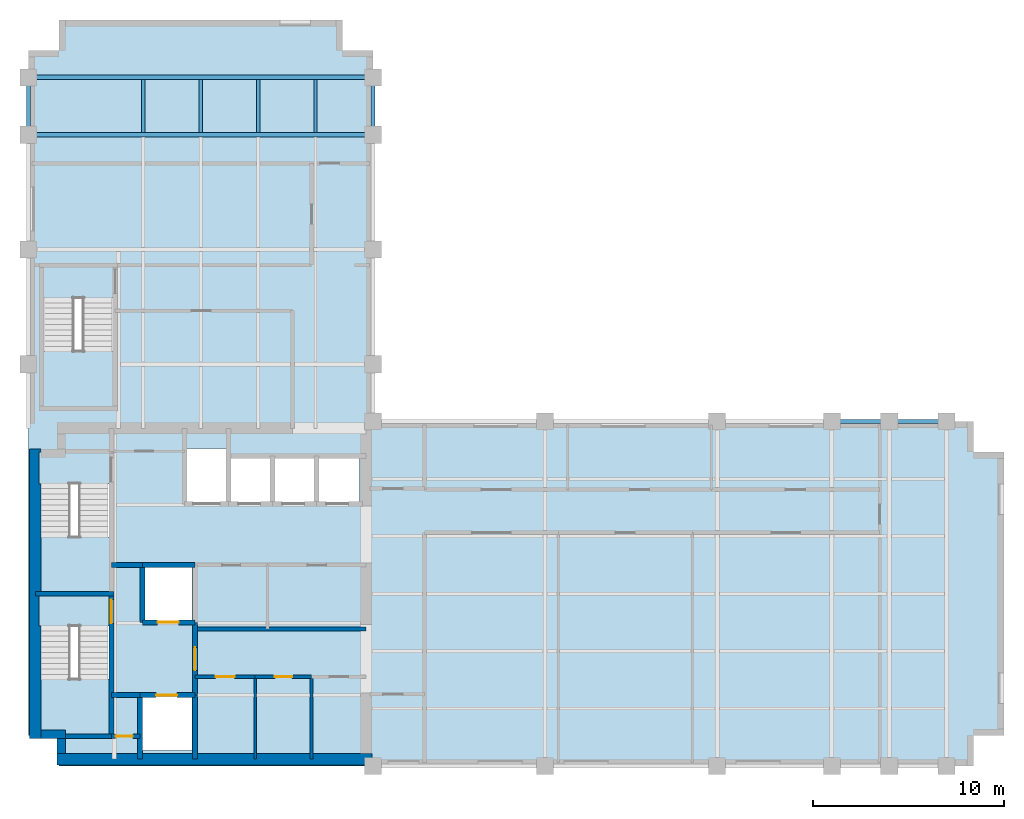
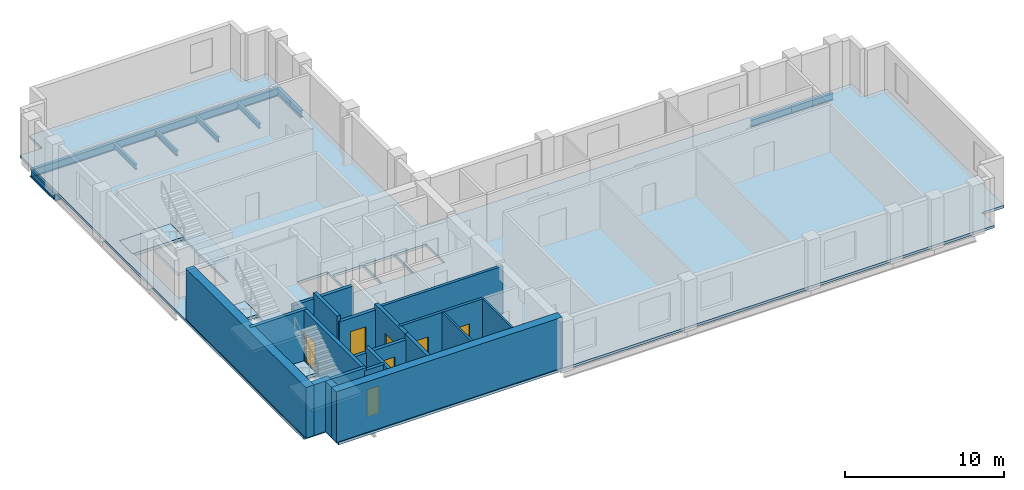
# One storey, part 2 of 6: 22 walls, 10 beams, 7 doors, 7 slabs, 7 openings, 3 elements without a shape of their own.
"""IFC4 building model written with IfcOpenShell, lengths in metres."""

from ifc_helpers import new_model, si_unit, direction, frame, frame_2d, origin, origin_2d, place, context, subcontext, project, spatial, polyline, rectangle, i_section, outline, extrude, material, layer, layer_set, material_profile, profile_set, type_object, element, fill, aggregate, save


model = new_model("IFC4")

# Units and contexts
model_context = context("Model", 3, precision=1e-05, world=origin(), true_north=direction((0.0, 1.0)))
body_context = subcontext(model_context, "Body", "Model", "MODEL_VIEW")
ifc_project = project(units=[si_unit("LENGTHUNIT", "METRE"), si_unit("AREAUNIT", "SQUARE_METRE"), si_unit("VOLUMEUNIT", "CUBIC_METRE"), si_unit("PLANEANGLEUNIT", "RADIAN"), si_unit("MASSUNIT", "GRAM", prefix="KILO")], contexts=[model_context])

# Site, building, storey
site_placement = place(None, origin())
site = spatial("IfcSite", under=ifc_project, at=site_placement, CompositionType="ELEMENT")
building_placement = place(site_placement, origin())
building = spatial("IfcBuilding", under=site, at=building_placement, Name="Mawjdan Bourse Tower", CompositionType="ELEMENT")
storey_placement = place(building_placement, frame((0.0, 0.0, 207.300048828125)))
storey = spatial("IfcBuildingStorey", under=building, at=storey_placement, Name="L50", CompositionType="ELEMENT", Elevation=207.300048828125)

# Beams
ifc_material_1 = material(Name="Structural Steel S355", Category="steel")
ifc_material_profile_1 = material_profile(ifc_material_1, i_section(OverallWidth=0.22998046875, OverallDepth=0.616943359375, WebThickness=0.01318359375, FlangeThickness=0.022216796875, FilletRadius=0.017822265625, at=origin_2d()), Name="W24X94")
ifc_profile_set_1 = profile_set([ifc_material_profile_1], Name="Structural Steel S355")
beam_type_1 = type_object("IfcBeamType", Name="GRD-W24X94", PredefinedType="BEAM", material=ifc_profile_set_1)
for number, where, z_axis, x_axis, name in (
    (1, (6.0, 36.0, -0.508544921875), (1.0, 0.0, 0.0), (0.0, 1.0, 0.0), "L50 North Wing Clear-Span Girder 049"),
    (2, (6.0, 39.0, -0.508544921875), (1.0, 0.0, 0.0), (0.0, 1.0, 0.0), "L50 North Wing Clear-Span Girder 050"),
):
    element("IfcBeam", number, at=place(storey_placement, frame(where, z_axis=z_axis, x_axis=x_axis)), inside=storey, type_object=beam_type_1, Name=name, PredefinedType="BEAM", context=body_context, shape_type="SweptSolid", body=[
        extrude(i_section(OverallWidth=0.22998046875, OverallDepth=0.616943359375, WebThickness=0.01318359375, FlangeThickness=0.022216796875, FilletRadius=0.017822265625, at=origin_2d()), origin(), (0.0, 0.0, 1.0), 18.0),
    ])
ifc_material_profile_2 = material_profile(ifc_material_1, i_section(OverallWidth=0.177978515625, OverallDepth=0.406982421875, WebThickness=0.0078125, FlangeThickness=0.0126953125, FilletRadius=0.01025390625, at=origin_2d()), Name="W16X40")
ifc_profile_set_2 = profile_set([ifc_material_profile_2], Name="Structural Steel S355")
beam_type_2 = type_object("IfcBeamType", Name="JST-W16X40", PredefinedType="JOIST", material=ifc_profile_set_2)
for number, where, z_axis, x_axis, name in (
    (3, (12.0, 36.113037109375, -0.403564453125), (0.0, 1.0, 0.0), (-1.0, 0.0, 0.0), "L50 North Wing Composite Joist 062"),
    (4, (15.0, 36.113037109375, -0.403564453125), (0.0, 1.0, 0.0), (-1.0, 0.0, 0.0), "L50 North Wing Composite Joist 066"),
    (5, (18.0, 36.113037109375, -0.403564453125), (0.0, 1.0, 0.0), (-1.0, 0.0, 0.0), "L50 North Wing Composite Joist 070"),
    (6, (21.0, 36.113037109375, -0.403564453125), (0.0, 1.0, 0.0), (-1.0, 0.0, 0.0), "L50 North Wing Composite Joist 074"),
):
    element("IfcBeam", number, at=place(storey_placement, frame(where, z_axis=z_axis, x_axis=x_axis)), inside=storey, type_object=beam_type_2, Name=name, PredefinedType="JOIST", context=body_context, shape_type="SweptSolid", body=[
        extrude(i_section(OverallWidth=0.177978515625, OverallDepth=0.406982421875, WebThickness=0.0078125, FlangeThickness=0.0126953125, FilletRadius=0.01025390625, at=origin_2d()), origin(), (0.0, 0.0, 1.0), 2.77392578125),
    ])
ifc_material_profile_3 = material_profile(ifc_material_1, i_section(OverallWidth=0.2099609375, OverallDepth=0.537109375, WebThickness=0.010986328125, FlangeThickness=0.017333984375, FilletRadius=0.013916015625, at=origin_2d()), Name="W21X68")
ifc_profile_set_3 = profile_set([ifc_material_profile_3], Name="Structural Steel S355")
beam_type_3 = type_object("IfcBeamType", Name="SPN-W21X68", PredefinedType="SPANDREL", material=ifc_profile_set_3)
for number, where, z_axis, x_axis, name in (
    (7, (48.0, 21.0, -0.468505859375), (1.0, 0.0, 0.0), (0.0, 1.0, 0.0), "L50 Perimeter Masonry-Shelf Spandrel 015"),
    (8, (51.0, 21.0, -0.468505859375), (1.0, 0.0, 0.0), (0.0, 1.0, 0.0), "L50 Perimeter Masonry-Shelf Spandrel 016"),
    (9, (6.0, 36.0, -0.468505859375), (0.0, 1.0, 0.0), (-1.0, 0.0, 0.0), "L50 North Wing Spandrel 054"),
    (10, (24.0, 36.0, -0.468505859375), (0.0, 1.0, 0.0), (-1.0, 0.0, 0.0), "L50 North Wing Spandrel 058"),
):
    element("IfcBeam", number, at=place(storey_placement, frame(where, z_axis=z_axis, x_axis=x_axis)), inside=storey, type_object=beam_type_3, Name=name, PredefinedType="SPANDREL", context=body_context, shape_type="SweptSolid", body=[
        extrude(i_section(OverallWidth=0.2099609375, OverallDepth=0.537109375, WebThickness=0.010986328125, FlangeThickness=0.017333984375, FilletRadius=0.013916015625, at=origin_2d()), origin(), (0.0, 0.0, 1.0), 3.0),
    ])

# Stair, slabs
ifc_material_2 = material(Name="Concrete C50/60", Category="concrete")
stair_type = type_object("IfcStairType", Name="STR-CORE-1500", PredefinedType="HALF_TURN_STAIR", material=ifc_material_2)
stair_1_placement = place(storey_placement, origin())
stair_1 = element("IfcStair", 11, at=stair_1_placement, inside=storey, type_object=stair_type, Name="L50 Exit Stair 1 (Core South-West)", PredefinedType="HALF_TURN_STAIR")
ifc_layer_1 = layer(ifc_material_2, 0.22998046875)
ifc_layer_set_1 = layer_set([ifc_layer_1], Name="Concrete C50/60")
slab_type_1 = type_object("IfcSlabType", Name="SL-LND-230", PredefinedType="LANDING", material=ifc_layer_set_1)
slab_1_placement = place(storey_placement, frame((0.0, 0.0, -0.22998046875)))
slab_1 = element("IfcSlab", 12, at=slab_1_placement, type_object=slab_type_1, Name="ST1-L50 landing 1", PredefinedType="LANDING", context=body_context, shape_type="SweptSolid", body=[
    extrude(outline(polyline([(6.5400390625, 10.31005859375), (10.260009765625, 10.31005859375), (10.260009765625, 11.969970703125), (6.5400390625, 11.969970703125), (6.5400390625, 10.31005859375)])), origin(), (0.0, 0.0, 1.0), 0.22998046875),
])
slab_2_placement = place(storey_placement, frame((0.0, 0.0, 1.719970703125)))
slab_2 = element("IfcSlab", 13, at=slab_2_placement, type_object=slab_type_1, Name="ST1-L50 landing 2", PredefinedType="LANDING", context=body_context, shape_type="SweptSolid", body=[
    extrude(outline(polyline([(6.5400390625, 4.590087890625), (10.260009765625, 4.590087890625), (10.260009765625, 7.5400390625), (6.5400390625, 7.5400390625), (6.5400390625, 4.590087890625)])), origin(), (0.0, 0.0, 1.0), 0.22998046875),
])
aggregate(stair_1, [slab_1, slab_2])

stair_2_placement = place(storey_placement, origin())
stair_2 = element("IfcStair", 14, at=stair_2_placement, inside=storey, type_object=stair_type, Name="L50 Exit Stair 2 (Core North-West)", PredefinedType="HALF_TURN_STAIR")
slab_3_placement = place(storey_placement, frame((0.0, 0.0, -0.22998046875)))
slab_3 = element("IfcSlab", 15, at=slab_3_placement, type_object=slab_type_1, Name="ST2-L50 landing 1", PredefinedType="LANDING", context=body_context, shape_type="SweptSolid", body=[
    extrude(outline(polyline([(6.5400390625, 17.75), (10.260009765625, 17.75), (10.260009765625, 19.409912109375), (6.5400390625, 19.409912109375), (6.5400390625, 17.75)])), origin(), (0.0, 0.0, 1.0), 0.22998046875),
])
slab_4_placement = place(storey_placement, frame((0.0, 0.0, 1.719970703125)))
slab_4 = element("IfcSlab", 16, at=slab_4_placement, type_object=slab_type_1, Name="ST2-L50 landing 2", PredefinedType="LANDING", context=body_context, shape_type="SweptSolid", body=[
    extrude(outline(polyline([(6.5400390625, 12.030029296875), (10.260009765625, 12.030029296875), (10.260009765625, 14.97998046875), (6.5400390625, 14.97998046875), (6.5400390625, 12.030029296875)])), origin(), (0.0, 0.0, 1.0), 0.22998046875),
])
aggregate(stair_2, [slab_3, slab_4])

stair_3_placement = place(storey_placement, origin())
stair_3 = element("IfcStair", 17, at=stair_3_placement, inside=storey, type_object=stair_type, Name="L50 Exit Stair 3 (North Wing)", PredefinedType="HALF_TURN_STAIR")
slab_5_placement = place(storey_placement, frame((0.0, 0.0, -0.22998046875)))
slab_5 = element("IfcSlab", 18, at=slab_5_placement, type_object=slab_type_1, Name="ST3-L50 landing 1", PredefinedType="LANDING", context=body_context, shape_type="SweptSolid", body=[
    extrude(outline(polyline([(6.739990234375, 27.4599609375), (10.4599609375, 27.4599609375), (10.4599609375, 29.1201171875), (6.739990234375, 29.1201171875), (6.739990234375, 27.4599609375)])), origin(), (0.0, 0.0, 1.0), 0.22998046875),
])
slab_6_placement = place(storey_placement, frame((0.0, 0.0, 1.719970703125)))
slab_6 = element("IfcSlab", 19, at=slab_6_placement, type_object=slab_type_1, Name="ST3-L50 landing 2", PredefinedType="LANDING", context=body_context, shape_type="SweptSolid", body=[
    extrude(outline(polyline([(6.739990234375, 21.739990234375), (10.4599609375, 21.739990234375), (10.4599609375, 24.68994140625), (6.739990234375, 24.68994140625), (6.739990234375, 21.739990234375)])), origin(), (0.0, 0.0, 1.0), 0.22998046875),
])
aggregate(stair_3, [slab_5, slab_6])

# Slab
ifc_layer_2 = layer(ifc_material_2, 0.199951171875)
ifc_layer_set_2 = layer_set([ifc_layer_2], Name="Concrete C50/60")
slab_type_2 = type_object("IfcSlabType", Name="SL-OFC-200", PredefinedType="FLOOR", material=ifc_layer_set_2)
slab_7_placement = place(storey_placement, frame((0.0, 0.0, -0.199951171875)))
element("IfcSlab", 20, at=slab_7_placement, inside=storey, type_object=slab_type_2, Name="L50 Structural Floor Slab 1", PredefinedType="FLOOR", context=body_context, shape_type="SweptSolid", body=[
    extrude(outline(polyline([(7.60009765625, 3.0), (55.39990234375, 3.0), (55.39990234375, 4.60009765625), (57.0, 4.60009765625), (57.0, 19.39990234375), (55.39990234375, 19.39990234375), (55.39990234375, 21.0), (24.0, 21.0), (24.0, 40.39990234375), (22.39990234375, 40.39990234375), (22.39990234375, 42.0), (7.60009765625, 42.0), (7.60009765625, 40.39990234375), (6.0, 40.39990234375), (6.0, 4.60009765625), (7.60009765625, 4.60009765625), (7.60009765625, 3.0)]), holes=[polyline([(6.5400390625, 11.969970703125), (10.260009765625, 11.969970703125), (10.260009765625, 10.31005859375), (10.199951171875, 10.31005859375), (10.199951171875, 4.64990234375), (6.60009765625, 4.64990234375), (6.60009765625, 10.31005859375), (6.5400390625, 10.31005859375), (6.5400390625, 11.969970703125)]), polyline([(6.60009765625, 12.090087890625), (6.60009765625, 17.75), (6.5400390625, 17.75), (6.5400390625, 19.409912109375), (10.260009765625, 19.409912109375), (10.260009765625, 17.75), (10.199951171875, 17.75), (10.199951171875, 12.090087890625), (6.60009765625, 12.090087890625)]), polyline([(10.4599609375, 29.1201171875), (10.4599609375, 27.4599609375), (10.39990234375, 27.4599609375), (10.39990234375, 21.800048828125), (6.800048828125, 21.800048828125), (6.800048828125, 27.4599609375), (6.739990234375, 27.4599609375), (6.739990234375, 29.1201171875), (10.4599609375, 29.1201171875)]), polyline([(14.550048828125, 3.800048828125), (11.949951171875, 3.800048828125), (11.949951171875, 6.60009765625), (14.550048828125, 6.60009765625), (14.550048828125, 3.800048828125)]), polyline([(12.050048828125, 10.60009765625), (12.050048828125, 13.39990234375), (14.550048828125, 13.39990234375), (14.550048828125, 10.60009765625), (12.050048828125, 10.60009765625)]), polyline([(16.5, 16.800048828125), (16.5, 19.14990234375), (18.699951171875, 19.14990234375), (18.699951171875, 16.800048828125), (16.5, 16.800048828125)]), polyline([(21.0, 16.800048828125), (18.800048828125, 16.800048828125), (18.800048828125, 19.14990234375), (21.0, 19.14990234375), (21.0, 16.800048828125)]), polyline([(21.10009765625, 16.800048828125), (21.10009765625, 19.14990234375), (23.300048828125, 19.14990234375), (23.300048828125, 16.800048828125), (21.10009765625, 16.800048828125)]), polyline([(14.199951171875, 16.800048828125), (14.199951171875, 19.60009765625), (16.39990234375, 19.60009765625), (16.39990234375, 16.800048828125), (14.199951171875, 16.800048828125)])]), origin(), (0.0, 0.0, 1.0), 0.199951171875),
])

# Wall, opening, door
ifc_material_3 = material(Name="Gypsum Fireboard Assembly")
ifc_layer_3 = layer(ifc_material_3, 0.199951171875)
ifc_layer_set_3 = layer_set([ifc_layer_3], Name="Gypsum Fireboard Assembly")
wall_type_1 = type_object("IfcWallType", Name="WL-CMP-200", PredefinedType="PARTITIONING", material=ifc_layer_set_3)
wall_1_placement = place(storey_placement, frame((14.699951171875, 7.659912109375, 0.0), z_axis=(0.0, 0.0, 1.0), x_axis=(1.0, 0.0, 0.0)))
wall_1 = element("IfcWall", 21, at=wall_1_placement, inside=storey, type_object=wall_type_1, Name="L50 Prayer & Quiet Reflection Room North Wall", PredefinedType="PARTITIONING", context=body_context, shape_type="SweptSolid", body=[
    extrude(rectangle(XDim=3.150146484375, YDim=0.199951171875, at=frame_2d((1.5751953125, 0.0))), origin(), (0.0, 0.0, 1.0), 3.68994140625),
])
opening_1_placement = place(wall_1_placement, frame((1.074951171875, 0.0, 0.0)))
opening_1 = element("IfcOpeningElement", 22, at=opening_1_placement, cuts=wall_1, Name="Opening D-L50-13", PredefinedType="OPENING", context=body_context, shape_type="SweptSolid", body=[
    extrude(rectangle(XDim=1.0, YDim=2.14990234375, at=frame_2d((0.5, 1.074951171875))), frame((0.0, 0.10986328125, 0.0), z_axis=(0.0, -1.0, 0.0), x_axis=(1.0, 0.0, 0.0)), (0.0, 0.0, 1.0), 0.219970703125),
])
ifc_material_4 = material(Name="Hardwood Acoustic Leaf", Category="wood")
door_type_1 = type_object("IfcDoorType", Name="DR-OFC-1000", OperationType="NOTDEFINED", PredefinedType="DOOR", material=ifc_material_4)
door_1_placement = place(opening_1_placement, origin())
door_1 = element("IfcDoor", 23, at=door_1_placement, inside=storey, type_object=door_type_1, Name="L50 Prayer & Quiet Reflection Room Door D-L50-13", OperationType="SINGLE_SWING_LEFT", OverallHeight=2.14990234375, OverallWidth=1.0, PredefinedType="DOOR", context=body_context, shape_type="SweptSolid", body=[
    extrude(rectangle(XDim=1.0, YDim=2.14990234375, at=frame_2d((0.5, 1.074951171875))), frame((0.0, 0.02490234375, 0.0), z_axis=(0.0, -1.0, 0.0), x_axis=(1.0, 0.0, 0.0)), (0.0, 0.0, 1.0), 0.050048828125),
])
fill(opening_1, door_1)

wall_2_placement = place(storey_placement, frame((17.85009765625, 7.659912109375, 0.0), z_axis=(0.0, 0.0, 1.0), x_axis=(1.0, 0.0, 0.0)))
wall_2 = element("IfcWall", 24, at=wall_2_placement, inside=storey, type_object=wall_type_1, Name="L50 Electrical Switchboard Room North Wall", PredefinedType="PARTITIONING", context=body_context, shape_type="SweptSolid", body=[
    extrude(rectangle(XDim=2.949951171875, YDim=0.199951171875, at=frame_2d((1.47509765625, 0.0))), origin(), (0.0, 0.0, 1.0), 3.68994140625),
])
opening_2_placement = place(wall_2_placement, frame((1.02490234375, 0.0, 0.0)))
opening_2 = element("IfcOpeningElement", 25, at=opening_2_placement, cuts=wall_2, Name="Opening D-L50-14", PredefinedType="OPENING", context=body_context, shape_type="SweptSolid", body=[
    extrude(rectangle(XDim=0.89990234375, YDim=2.10009765625, at=frame_2d((0.449951171875, 1.050048828125))), frame((0.0, 0.10986328125, 0.0), z_axis=(0.0, -1.0, 0.0), x_axis=(1.0, 0.0, 0.0)), (0.0, 0.0, 1.0), 0.219970703125),
])
ifc_material_5 = material(Name="Fire-Rated Steel Access Leaf", Category="steel")
door_type_2 = type_object("IfcDoorType", Name="FD-RSR-0900", OperationType="NOTDEFINED", PredefinedType="TRAPDOOR", material=ifc_material_5)
door_2_placement = place(opening_2_placement, origin())
door_2 = element("IfcDoor", 26, at=door_2_placement, inside=storey, type_object=door_type_2, Name="L50 Electrical Switchboard Room Door D-L50-14", OperationType="SINGLE_SWING_RIGHT", OverallHeight=2.10009765625, OverallWidth=0.89990234375, PredefinedType="TRAPDOOR", context=body_context, shape_type="SweptSolid", body=[
    extrude(rectangle(XDim=0.89990234375, YDim=2.10009765625, at=frame_2d((0.449951171875, 1.050048828125))), frame((0.0, 0.02490234375, 0.0), z_axis=(0.0, -1.0, 0.0), x_axis=(1.0, 0.0, 0.0)), (0.0, 0.0, 1.0), 0.050048828125),
])
fill(opening_2, door_2)

# Walls
wall_3_placement = place(storey_placement, frame((14.824951171875, 10.14990234375, 0.0), z_axis=(0.0, 0.0, 1.0), x_axis=(1.0, 0.0, 0.0)))
element("IfcWall", 27, at=wall_3_placement, inside=storey, type_object=wall_type_1, Name="L50 Core Restroom Suite South Wall", PredefinedType="PARTITIONING", context=body_context, shape_type="SweptSolid", body=[
    extrude(rectangle(XDim=8.824951171875, YDim=0.199951171875, at=frame_2d((4.41259765625, 0.0))), origin(), (0.0, 0.0, 1.0), 3.68994140625),
])
ifc_material_6 = material(Name="Concrete C60/75", Category="concrete")
ifc_layer_4 = layer(ifc_material_6, 0.449951171875)
ifc_layer_set_4 = layer_set([ifc_layer_4], Name="Concrete C60/75")
wall_type_2 = type_object("IfcWallType", Name="WL-CORE-450", PredefinedType="SHEAR", material=ifc_layer_set_4)
wall_4_placement = place(storey_placement, frame((6.64990234375, 4.64990234375, 0.0), z_axis=(0.0, 0.0, 1.0), x_axis=(1.0, 0.0, 0.0)))
element("IfcWall", 28, at=wall_4_placement, inside=storey, type_object=wall_type_2, Name="L50 Rear Core Shear Wall SW-X", PredefinedType="SHEAR", context=body_context, shape_type="SweptSolid", body=[
    extrude(rectangle(XDim=1.275146484375, YDim=0.449951171875, at=frame_2d((0.6376953125, 0.0))), origin(), (0.0, 0.0, 1.0), 3.89990234375),
])
wall_5_placement = place(storey_placement, frame((7.699951171875, 3.64990234375, 0.0), z_axis=(0.0, 0.0, 1.0), x_axis=(0.0, 1.0, 0.0)))
element("IfcWall", 29, at=wall_5_placement, inside=storey, type_object=wall_type_2, Name="L50 Rear Core Shear Wall SW-Y", PredefinedType="SHEAR", context=body_context, shape_type="SweptSolid", body=[
    extrude(rectangle(XDim=0.775146484375, YDim=0.449951171875, at=frame_2d((0.3876953125, 0.0))), origin(), (0.0, 0.0, 1.0), 3.89990234375),
])
ifc_material_7 = material(Name="Concrete C70/85", Category="concrete")
ifc_layer_5 = layer(ifc_material_7, 0.60009765625)
ifc_layer_set_5 = layer_set([ifc_layer_5], Name="Concrete C70/85")
wall_type_3 = type_object("IfcWallType", Name="WL-CORE-600", PredefinedType="SHEAR", material=ifc_layer_set_5)
wall_6_placement = place(storey_placement, frame((7.47509765625, 3.35009765625, 0.0), z_axis=(0.0, 0.0, 1.0), x_axis=(1.0, 0.0, 0.0)))
element("IfcWall", 30, at=wall_6_placement, inside=storey, type_object=wall_type_3, Name="L50 Rear Core Shear Wall S", PredefinedType="SHEAR", context=body_context, shape_type="SweptSolid", body=[
    extrude(rectangle(XDim=16.474853515625, YDim=0.60009765625, at=frame_2d((8.2373046875, 0.0))), origin(), (0.0, 0.0, 1.0), 3.89990234375),
])
wall_7_placement = place(storey_placement, frame((6.35009765625, 4.425048828125, 0.0), z_axis=(0.0, 0.0, 1.0), x_axis=(0.0, 1.0, 0.0)))
element("IfcWall", 31, at=wall_7_placement, inside=storey, type_object=wall_type_3, Name="L50 Rear Core Shear Wall W", PredefinedType="SHEAR", context=body_context, shape_type="SweptSolid", body=[
    extrude(rectangle(XDim=15.14990234375, YDim=0.60009765625, at=frame_2d((7.574951171875, 0.0))), origin(), (0.0, 0.0, 1.0), 3.89990234375),
])
ifc_material_8 = material(Name="Gypsum Acoustic Partition")
ifc_layer_6 = layer(ifc_material_8, 0.14990234375)
ifc_layer_set_6 = layer_set([ifc_layer_6], Name="Gypsum Acoustic Partition")
wall_type_4 = type_object("IfcWallType", Name="WL-PRT-150", PredefinedType="PARTITIONING", material=ifc_layer_set_6)
for number, where, z_axis, x_axis, name in (
    (32, (17.85009765625, 3.35009765625, 0.0), (0.0, 0.0, 1.0), (0.0, 1.0, 0.0), "L50 Electrical Switchboard Room Core Split Wall"),
    (33, (20.800048828125, 3.35009765625, 0.0), (0.0, 0.0, 1.0), (0.0, 1.0, 0.0), "L50 Staff Beverage Pantry Core Split Wall"),
):
    element("IfcWall", number, at=place(storey_placement, frame(where, z_axis=z_axis, x_axis=x_axis)), inside=storey, type_object=wall_type_4, Name=name, PredefinedType="PARTITIONING", context=body_context, shape_type="SweptSolid", body=[
        extrude(rectangle(XDim=4.309814453125, YDim=0.14990234375, at=frame_2d((2.15478515625, 0.0))), origin(), (0.0, 0.0, 1.0), 3.68994140625),
    ])

# Wall, opening, door
ifc_layer_7 = layer(ifc_material_2, 0.25)
ifc_layer_set_7 = layer_set([ifc_layer_7], Name="Concrete C50/60")
wall_type_5 = type_object("IfcWallType", Name="WL-SHFT-250", PredefinedType="PARTITIONING", material=ifc_layer_set_7)
wall_8_placement = place(storey_placement, frame((10.330078125, 4.550048828125, 0.0), z_axis=(0.0, 0.0, 1.0), x_axis=(1.0, 0.0, 0.0)))
wall_8 = element("IfcWall", 34, at=wall_8_placement, inside=storey, type_object=wall_type_5, Name="L50 SW Riser North Wall", PredefinedType="PARTITIONING", context=body_context, shape_type="SweptSolid", body=[
    extrude(rectangle(XDim=1.489990234375, YDim=0.25, at=frame_2d((0.7451171875, 0.0))), origin(), (0.0, 0.0, 1.0), 3.68994140625),
])
opening_3_placement = place(wall_8_placement, frame((0.219970703125, 0.0, 0.0)))
opening_3 = element("IfcOpeningElement", 35, at=opening_3_placement, cuts=wall_8, Name="Opening RD-L50-03", PredefinedType="OPENING", context=body_context, shape_type="SweptSolid", body=[
    extrude(rectangle(XDim=0.89990234375, YDim=2.10009765625, at=frame_2d((0.449951171875, 1.050048828125))), frame((0.0, 0.135009765625, 0.0), z_axis=(0.0, -1.0, 0.0), x_axis=(1.0, 0.0, 0.0)), (0.0, 0.0, 1.0), 0.27001953125),
])
door_3_placement = place(opening_3_placement, origin())
door_3 = element("IfcDoor", 36, at=door_3_placement, inside=storey, type_object=door_type_2, Name="L50 Electrical Riser Access Door RD-L50-03", OperationType="SINGLE_SWING_LEFT", OverallHeight=2.10009765625, OverallWidth=0.89990234375, PredefinedType="TRAPDOOR", context=body_context, shape_type="SweptSolid", body=[
    extrude(rectangle(XDim=0.89990234375, YDim=2.10009765625, at=frame_2d((0.449951171875, 1.050048828125))), frame((0.0, 0.02490234375, 0.0), z_axis=(0.0, -1.0, 0.0), x_axis=(1.0, 0.0, 0.0)), (0.0, 0.0, 1.0), 0.050048828125),
])
fill(opening_3, door_3)

# Wall
wall_9_placement = place(storey_placement, frame((11.820068359375, 3.35009765625, 0.0), z_axis=(0.0, 0.0, 1.0), x_axis=(0.0, 1.0, 0.0)))
element("IfcWall", 37, at=wall_9_placement, inside=storey, type_object=wall_type_5, Name="L50 SW Riser & FFL01 West Wall", PredefinedType="PARTITIONING", context=body_context, shape_type="SweptSolid", body=[
    extrude(rectangle(XDim=3.349853515625, YDim=0.25, at=frame_2d((1.6748046875, 0.0))), origin(), (0.0, 0.0, 1.0), 3.68994140625),
])

# Wall, opening, door
wall_10_placement = place(storey_placement, frame((11.820068359375, 6.699951171875, 0.0), z_axis=(0.0, 0.0, 1.0), x_axis=(1.0, 0.0, 0.0)))
wall_10 = element("IfcWall", 38, at=wall_10_placement, inside=storey, type_object=wall_type_5, Name="L50 FFL-01 Front Shaft Wall", PredefinedType="PARTITIONING", context=body_context, shape_type="SweptSolid", body=[
    extrude(rectangle(XDim=2.8798828125, YDim=0.25, at=frame_2d((1.43994140625, 0.0))), origin(), (0.0, 0.0, 1.0), 3.282958984375),
])
opening_4_placement = place(wall_10_placement, frame((0.85009765625, 0.0, 0.0)))
opening_4 = element("IfcOpeningElement", 39, at=opening_4_placement, cuts=wall_10, Name="Opening LD-L50-05", PredefinedType="OPENING", context=body_context, shape_type="SweptSolid", body=[
    extrude(rectangle(XDim=1.10009765625, YDim=2.25, at=frame_2d((0.550048828125, 1.125))), frame((0.0, 0.135009765625, 0.0), z_axis=(0.0, -1.0, 0.0), x_axis=(1.0, 0.0, 0.0)), (0.0, 0.0, 1.0), 0.27001953125),
])
ifc_material_9 = material(Name="Brushed Stainless Steel", Category="steel")
door_type_3 = type_object("IfcDoorType", Name="LD-FFL-1100", OperationType="DOUBLE_DOOR_SLIDING", PredefinedType="DOOR", material=ifc_material_9)
door_4_placement = place(opening_4_placement, origin())
door_4 = element("IfcDoor", 40, at=door_4_placement, inside=storey, type_object=door_type_3, Name="L50 Firefighting Lift FFL-01 Landing Door LD-L50-05", OperationType="DOUBLE_DOOR_SLIDING", OverallHeight=2.25, OverallWidth=1.10009765625, PredefinedType="DOOR", context=body_context, shape_type="SweptSolid", body=[
    extrude(rectangle(XDim=1.10009765625, YDim=2.25, at=frame_2d((0.550048828125, 1.125))), frame((0.0, 0.02490234375, 0.0), z_axis=(0.0, -1.0, 0.0), x_axis=(1.0, 0.0, 0.0)), (0.0, 0.0, 1.0), 0.050048828125),
])
fill(opening_4, door_4)

# Wall
wall_11_placement = place(storey_placement, frame((14.699951171875, 3.35009765625, 0.0), z_axis=(0.0, 0.0, 1.0), x_axis=(0.0, 1.0, 0.0)))
element("IfcWall", 41, at=wall_11_placement, inside=storey, type_object=wall_type_5, Name="L50 FFL-01 East Shaft Wall", PredefinedType="PARTITIONING", context=body_context, shape_type="SweptSolid", body=[
    extrude(rectangle(XDim=3.349853515625, YDim=0.25, at=frame_2d((1.6748046875, 0.0))), origin(), (0.0, 0.0, 1.0), 3.68994140625),
])

# Wall, opening, door
wall_12_placement = place(storey_placement, frame((11.949951171875, 10.5, 0.0), z_axis=(0.0, 0.0, 1.0), x_axis=(1.0, 0.0, 0.0)))
wall_12 = element("IfcWall", 42, at=wall_12_placement, inside=storey, type_object=wall_type_5, Name="L50 FFL-02 Front Shaft Wall", PredefinedType="PARTITIONING", context=body_context, shape_type="SweptSolid", body=[
    extrude(rectangle(XDim=2.75, YDim=0.25, at=frame_2d((1.375, 0.0))), origin(), (0.0, 0.0, 1.0), 3.282958984375),
])
opening_5_placement = place(wall_12_placement, frame((0.800048828125, 0.0, 0.0)))
opening_5 = element("IfcOpeningElement", 43, at=opening_5_placement, cuts=wall_12, Name="Opening LD-L50-06", PredefinedType="OPENING", context=body_context, shape_type="SweptSolid", body=[
    extrude(rectangle(XDim=1.10009765625, YDim=2.25, at=frame_2d((0.550048828125, 1.125))), frame((0.0, 0.135009765625, 0.0), z_axis=(0.0, -1.0, 0.0), x_axis=(1.0, 0.0, 0.0)), (0.0, 0.0, 1.0), 0.27001953125),
])
door_5_placement = place(opening_5_placement, origin())
door_5 = element("IfcDoor", 44, at=door_5_placement, inside=storey, type_object=door_type_3, Name="L50 Firefighting Lift FFL-02 Landing Door LD-L50-06", OperationType="DOUBLE_DOOR_SLIDING", OverallHeight=2.25, OverallWidth=1.10009765625, PredefinedType="DOOR", context=body_context, shape_type="SweptSolid", body=[
    extrude(rectangle(XDim=1.10009765625, YDim=2.25, at=frame_2d((0.550048828125, 1.125))), frame((0.0, 0.02490234375, 0.0), z_axis=(0.0, -1.0, 0.0), x_axis=(1.0, 0.0, 0.0)), (0.0, 0.0, 1.0), 0.050048828125),
])
fill(opening_5, door_5)

# Walls
wall_13_placement = place(storey_placement, frame((11.949951171875, 10.5, 0.0), z_axis=(0.0, 0.0, 1.0), x_axis=(0.0, 1.0, 0.0)))
element("IfcWall", 45, at=wall_13_placement, inside=storey, type_object=wall_type_5, Name="L50 FFL-02 West Shaft Wall", PredefinedType="PARTITIONING", context=body_context, shape_type="SweptSolid", body=[
    extrude(rectangle(XDim=3.0, YDim=0.25, at=frame_2d((1.5, 0.0))), origin(), (0.0, 0.0, 1.0), 3.68994140625),
])
wall_14_placement = place(storey_placement, frame((11.949951171875, 13.5, 0.0), z_axis=(0.0, 0.0, 1.0), x_axis=(1.0, 0.0, 0.0)))
element("IfcWall", 46, at=wall_14_placement, inside=storey, type_object=wall_type_5, Name="L50 FFL-02 North Shaft Wall", PredefinedType="PARTITIONING", context=body_context, shape_type="SweptSolid", body=[
    extrude(rectangle(XDim=2.75, YDim=0.25, at=frame_2d((1.375, 0.0))), origin(), (0.0, 0.0, 1.0), 3.282958984375),
])

# Wall, opening, door
wall_15_placement = place(storey_placement, frame((14.699951171875, 6.699951171875, 0.0), z_axis=(0.0, 0.0, 1.0), x_axis=(0.0, 1.0, 0.0)))
wall_15 = element("IfcWall", 47, at=wall_15_placement, inside=storey, type_object=wall_type_5, Name="L50 Firefighting Lobby East Compartment Wall", PredefinedType="PARTITIONING", context=body_context, shape_type="SweptSolid", body=[
    extrude(rectangle(XDim=3.800048828125, YDim=0.25, at=frame_2d((1.89990234375, 0.0))), origin(), (0.0, 0.0, 1.0), 3.68994140625),
])
opening_6_placement = place(wall_15_placement, frame((1.300048828125, 0.0, 0.0)))
opening_6 = element("IfcOpeningElement", 48, at=opening_6_placement, cuts=wall_15, Name="Opening FD-L50-07", PredefinedType="OPENING", context=body_context, shape_type="SweptSolid", body=[
    extrude(rectangle(XDim=1.199951171875, YDim=2.199951171875, at=frame_2d((0.60009765625, 1.10009765625))), frame((0.0, 0.135009765625, 0.0), z_axis=(0.0, -1.0, 0.0), x_axis=(1.0, 0.0, 0.0)), (0.0, 0.0, 1.0), 0.27001953125),
])
ifc_material_10 = material(Name="Fire-Rated Steel Leaf", Category="steel")
door_type_4 = type_object("IfcDoorType", Name="FD-FFL-1200", OperationType="NOTDEFINED", PredefinedType="DOOR", material=ifc_material_10)
door_6_placement = place(opening_6_placement, origin())
door_6 = element("IfcDoor", 49, at=door_6_placement, inside=storey, type_object=door_type_4, Name="L50 Firefighting Lobby East Smoke Door FD-L50-07", OperationType="SINGLE_SWING_LEFT", OverallHeight=2.199951171875, OverallWidth=1.199951171875, PredefinedType="DOOR", context=body_context, shape_type="SweptSolid", body=[
    extrude(rectangle(XDim=1.199951171875, YDim=2.199951171875, at=frame_2d((0.60009765625, 1.10009765625))), frame((0.0, 0.02490234375, 0.0), z_axis=(0.0, -1.0, 0.0), x_axis=(1.0, 0.0, 0.0)), (0.0, 0.0, 1.0), 0.050048828125),
])
fill(opening_6, door_6)

# Walls
wall_16_placement = place(storey_placement, frame((10.330078125, 13.5, 0.0), z_axis=(0.0, 0.0, 1.0), x_axis=(1.0, 0.0, 0.0)))
element("IfcWall", 50, at=wall_16_placement, inside=storey, type_object=wall_type_5, Name="L50 Firefighting Lobby North Compartment Wall", PredefinedType="PARTITIONING", context=body_context, shape_type="SweptSolid", body=[
    extrude(rectangle(XDim=1.619873046875, YDim=0.25, at=frame_2d((0.81005859375, 0.0))), origin(), (0.0, 0.0, 1.0), 3.282958984375),
])
wall_17_placement = place(storey_placement, frame((10.330078125, 6.699951171875, 0.0), z_axis=(0.0, 0.0, 1.0), x_axis=(1.0, 0.0, 0.0)))
element("IfcWall", 51, at=wall_17_placement, inside=storey, type_object=wall_type_5, Name="L50 Firefighting Lobby South Closure Wall", PredefinedType="PARTITIONING", context=body_context, shape_type="SweptSolid", body=[
    extrude(rectangle(XDim=1.489990234375, YDim=0.25, at=frame_2d((0.7451171875, 0.0))), origin(), (0.0, 0.0, 1.0), 3.282958984375),
])
ifc_layer_8 = layer(ifc_material_2, 0.25)
ifc_layer_set_8 = layer_set([ifc_layer_8], Name="Concrete C50/60")
wall_type_6 = type_object("IfcWallType", Name="WL-STRW-250", PredefinedType="SHEAR", material=ifc_layer_set_8)
wall_18_placement = place(storey_placement, frame((6.35009765625, 12.0, 0.0), z_axis=(0.0, 0.0, 1.0), x_axis=(1.0, 0.0, 0.0)))
element("IfcWall", 52, at=wall_18_placement, inside=storey, type_object=wall_type_6, Name="L50 Stairwell Dividing Shaft Wall", PredefinedType="SHEAR", context=body_context, shape_type="SweptSolid", body=[
    extrude(rectangle(XDim=4.10498046875, YDim=0.25, at=frame_2d((2.052490234375, 0.0))), origin(), (0.0, 0.0, 1.0), 3.89990234375),
])
wall_19_placement = place(storey_placement, frame((7.699951171875, 4.550048828125, 0.0), z_axis=(0.0, 0.0, 1.0), x_axis=(1.0, 0.0, 0.0)))
element("IfcWall", 53, at=wall_19_placement, inside=storey, type_object=wall_type_6, Name="L50 Stairwell ST1 South Shaft Wall", PredefinedType="SHEAR", context=body_context, shape_type="SweptSolid", body=[
    extrude(rectangle(XDim=2.755126953125, YDim=0.25, at=frame_2d((1.37744140625, 0.0))), origin(), (0.0, 0.0, 1.0), 3.89990234375),
])

# Wall, opening, door
wall_20_placement = place(storey_placement, frame((10.330078125, 4.550048828125, 0.0), z_axis=(0.0, 0.0, 1.0), x_axis=(0.0, 1.0, 0.0)))
wall_20 = element("IfcWall", 54, at=wall_20_placement, inside=storey, type_object=wall_type_6, Name="L50 Stairwell ST1 East Enclosure Wall", PredefinedType="SHEAR", context=body_context, shape_type="SweptSolid", body=[
    extrude(rectangle(XDim=7.449951171875, YDim=0.25, at=frame_2d((3.72509765625, 0.0))), origin(), (0.0, 0.0, 1.0), 3.89990234375),
])
opening_7_placement = place(wall_20_placement, frame((5.89990234375, 0.0, 0.0)))
opening_7 = element("IfcOpeningElement", 55, at=opening_7_placement, cuts=wall_20, Name="Opening SD-L50-01", PredefinedType="OPENING", context=body_context, shape_type="SweptSolid", body=[
    extrude(rectangle(XDim=1.25, YDim=2.199951171875, at=frame_2d((0.625, 1.10009765625))), frame((0.0, 0.135009765625, 0.0), z_axis=(0.0, -1.0, 0.0), x_axis=(1.0, 0.0, 0.0)), (0.0, 0.0, 1.0), 0.27001953125),
])
door_type_5 = type_object("IfcDoorType", Name="FD-ST-1250", OperationType="NOTDEFINED", PredefinedType="DOOR", material=ifc_material_10)
door_7_placement = place(opening_7_placement, origin())
door_7 = element("IfcDoor", 56, at=door_7_placement, inside=storey, type_object=door_type_5, Name="L50 Exit Stair ST1 Fire Door SD-L50-01", OperationType="SINGLE_SWING_LEFT", OverallHeight=2.199951171875, OverallWidth=1.25, PredefinedType="DOOR", context=body_context, shape_type="SweptSolid", body=[
    extrude(rectangle(XDim=1.25, YDim=2.199951171875, at=frame_2d((0.625, 1.10009765625))), frame((0.0, 0.02490234375, 0.0), z_axis=(0.0, -1.0, 0.0), x_axis=(1.0, 0.0, 0.0)), (0.0, 0.0, 1.0), 0.050048828125),
])
fill(opening_7, door_7)

save(model, "model.ifc")
